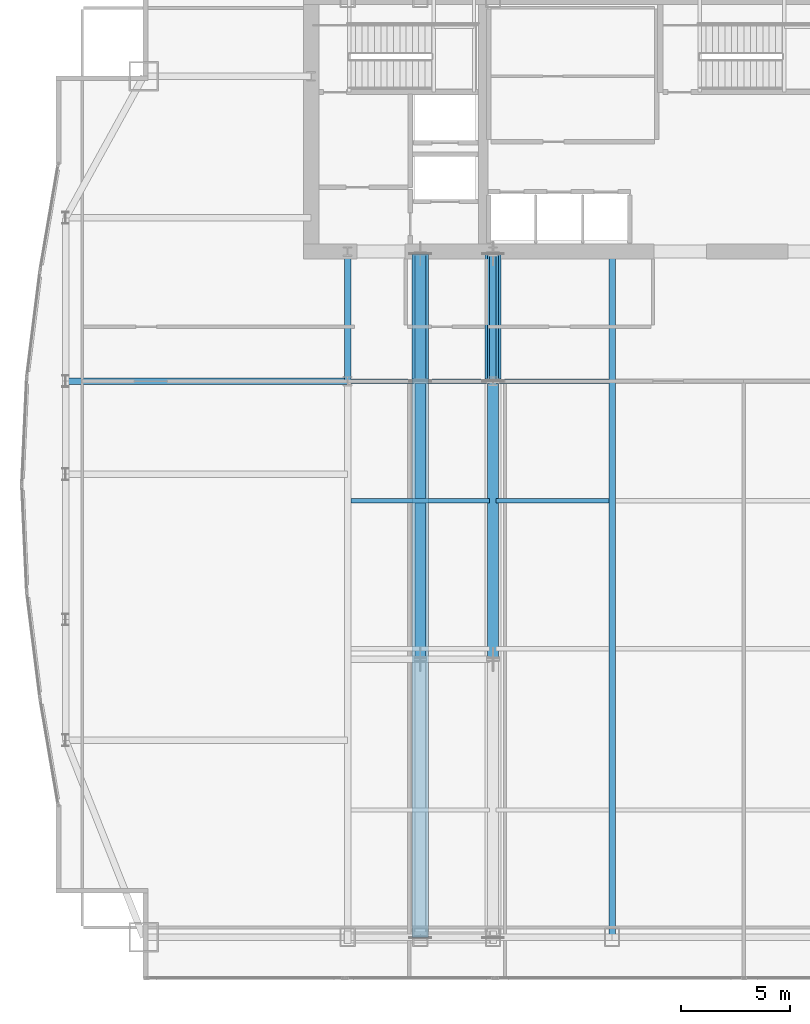
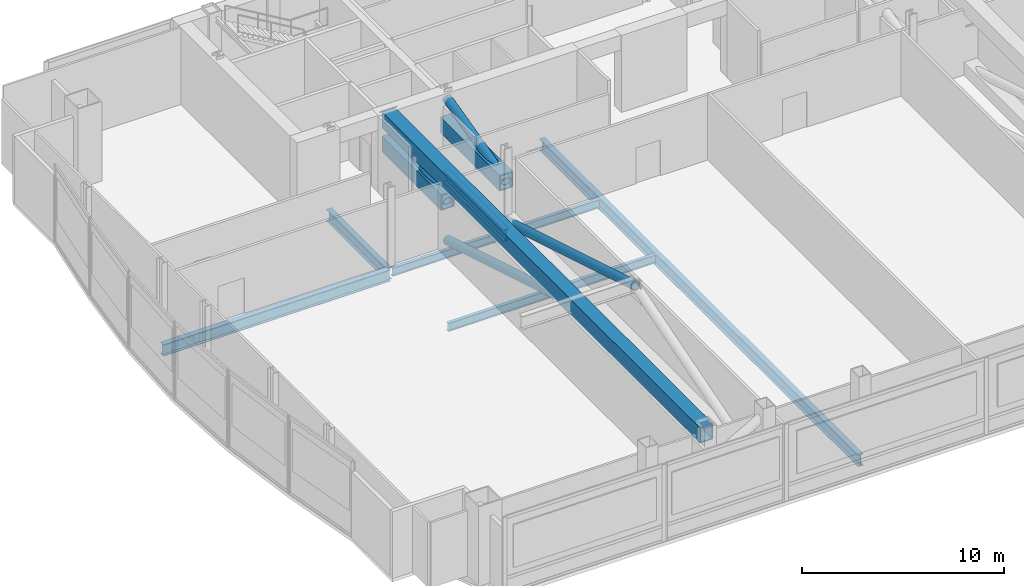
# One storey, part 12 of 30: 8 beams, 7 members.
"""IFC4 building model written with IfcOpenShell, lengths in metres."""

from ifc_helpers import new_model, si_unit, direction, frame, origin, origin_2d, place, context, subcontext, project, spatial, hollow_rectangle, hollow_circle, i_section, extrude, material, material_profile, profile_set, type_object, element, save


model = new_model("IFC4")

# Units and contexts
model_context = context("Model", 3, precision=1e-05, world=origin(), true_north=direction((0.0, 1.0)))
body_context = subcontext(model_context, "Body", "Model", "MODEL_VIEW")
ifc_project = project(units=[si_unit("LENGTHUNIT", "METRE"), si_unit("AREAUNIT", "SQUARE_METRE"), si_unit("VOLUMEUNIT", "CUBIC_METRE"), si_unit("PLANEANGLEUNIT", "RADIAN"), si_unit("MASSUNIT", "GRAM", prefix="KILO")], contexts=[model_context])

# Site, building, storey
site_placement = place(None, origin())
site = spatial("IfcSite", under=ifc_project, at=site_placement, CompositionType="ELEMENT")
building_placement = place(site_placement, origin())
building = spatial("IfcBuilding", under=site, at=building_placement, Name="Khoronbel Lancet Exchange", CompositionType="ELEMENT")
storey_placement = place(building_placement, frame((0.0, 0.0, 172.199951171875)))
storey = spatial("IfcBuildingStorey", under=building, at=storey_placement, Name="L43", CompositionType="ELEMENT", Elevation=172.199951171875)

# Beams
ifc_material_1 = material(Name="Steel S355", Category="steel")
ifc_material_profile_1 = material_profile(ifc_material_1, i_section(OverallWidth=0.300048828125, OverallDepth=0.699951171875, WebThickness=0.01708984375, FlangeThickness=0.031982421875, at=origin_2d()), Name="HEB 700")
ifc_profile_set_1 = profile_set([ifc_material_profile_1], Name="Steel S355")
beam_type_1 = type_object("IfcBeamType", Name="BM-BG3", PredefinedType="BEAM", material=ifc_profile_set_1)
for number, where, z_axis, x_axis, name in (
    (1, (18.22509765625, 35.699951171875, -0.570068359375), (0.0, 1.0, 0.0), (-1.0, 0.0, 0.0), "Level L43 spine tie girder GN1"),
    (2, (24.89990234375, 35.699951171875, -0.570068359375), (0.0, 1.0, 0.0), (-1.0, 0.0, 0.0), "Level L43 spine tie girder GN2"),
):
    element("IfcBeam", number, at=place(storey_placement, frame(where, z_axis=z_axis, x_axis=x_axis)), inside=storey, type_object=beam_type_1, Name=name, PredefinedType="BEAM", context=body_context, shape_type="SweptSolid", body=[
        extrude(i_section(OverallWidth=0.300048828125, OverallDepth=0.699951171875, WebThickness=0.01708984375, FlangeThickness=0.031982421875, at=origin_2d()), origin(), (0.0, 0.0, 1.0), 5.949951171875),
    ])
beam_1_placement = place(storey_placement, frame((30.375, 10.14990234375, -0.570068359375), z_axis=(0.0, 1.0, 0.0), x_axis=(-1.0, 0.0, 0.0)))
element("IfcBeam", 3, at=beam_1_placement, inside=storey, type_object=beam_type_1, Name="Level L43 primary floor girder G3", PredefinedType="BEAM", context=body_context, shape_type="SweptSolid", body=[
    extrude(i_section(OverallWidth=0.300048828125, OverallDepth=0.699951171875, WebThickness=0.01708984375, FlangeThickness=0.031982421875, at=origin_2d()), origin(), (0.0, 0.0, 1.0), 31.5),
])
beam_2_placement = place(storey_placement, frame((5.27001953125, 35.699951171875, -0.570068359375), z_axis=(1.0, 0.0, 0.0), x_axis=(0.0, 1.0, 0.0)))
element("IfcBeam", 4, at=beam_2_placement, inside=storey, type_object=beam_type_1, Name="Level L43 west lens tie girder LG4W", PredefinedType="BEAM", context=body_context, shape_type="SweptSolid", body=[
    extrude(i_section(OverallWidth=0.300048828125, OverallDepth=0.699951171875, WebThickness=0.01708984375, FlangeThickness=0.031982421875, at=origin_2d()), origin(), (0.0, 0.0, 1.0), 12.955078125),
])
ifc_material_profile_2 = material_profile(ifc_material_1, i_section(OverallWidth=0.199951171875, OverallDepth=0.5, WebThickness=0.01025390625, FlangeThickness=0.01611328125, at=origin_2d()), Name="IPE 500")
ifc_profile_set_2 = profile_set([ifc_material_profile_2], Name="Steel S355")
beam_type_2 = type_object("IfcBeamType", Name="BM-BJ3", PredefinedType="JOIST", material=ifc_profile_set_2)
beam_3_placement = place(storey_placement, frame((18.375, 30.199951171875, -0.469970703125), z_axis=(1.0, 0.0, 0.0), x_axis=(0.0, 1.0, 0.0)))
element("IfcBeam", 5, at=beam_3_placement, inside=storey, type_object=beam_type_2, Name="Level L43 secondary composite joist J11", PredefinedType="JOIST", context=body_context, shape_type="SweptSolid", body=[
    extrude(i_section(OverallWidth=0.199951171875, OverallDepth=0.5, WebThickness=0.01025390625, FlangeThickness=0.01611328125, at=origin_2d()), origin(), (0.0, 0.0, 1.0), 6.375),
])
beam_4_placement = place(storey_placement, frame((25.050048828125, 30.199951171875, -0.469970703125), z_axis=(1.0, 0.0, 0.0), x_axis=(0.0, 1.0, 0.0)))
element("IfcBeam", 6, at=beam_4_placement, inside=storey, type_object=beam_type_2, Name="Level L43 secondary composite joist J12", PredefinedType="JOIST", context=body_context, shape_type="SweptSolid", body=[
    extrude(i_section(OverallWidth=0.199951171875, OverallDepth=0.5, WebThickness=0.01025390625, FlangeThickness=0.01611328125, at=origin_2d()), origin(), (0.0, 0.0, 1.0), 5.175048828125),
])
beam_5_placement = place(storey_placement, frame((18.375, 35.699951171875, -0.469970703125), z_axis=(1.0, 0.0, 0.0), x_axis=(0.0, 1.0, 0.0)))
element("IfcBeam", 7, at=beam_5_placement, inside=storey, type_object=beam_type_2, Name="Level L43 secondary composite joist J16", PredefinedType="JOIST", context=body_context, shape_type="SweptSolid", body=[
    extrude(i_section(OverallWidth=0.199951171875, OverallDepth=0.5, WebThickness=0.01025390625, FlangeThickness=0.01611328125, at=origin_2d()), origin(), (0.0, 0.0, 1.0), 6.375),
])
beam_6_placement = place(storey_placement, frame((25.050048828125, 35.699951171875, -0.469970703125), z_axis=(1.0, 0.0, 0.0), x_axis=(0.0, 1.0, 0.0)))
element("IfcBeam", 8, at=beam_6_placement, inside=storey, type_object=beam_type_2, Name="Level L43 secondary composite joist J17", PredefinedType="JOIST", context=body_context, shape_type="SweptSolid", body=[
    extrude(i_section(OverallWidth=0.199951171875, OverallDepth=0.5, WebThickness=0.01025390625, FlangeThickness=0.01611328125, at=origin_2d()), origin(), (0.0, 0.0, 1.0), 5.175048828125),
])

# Members
ifc_material_2 = material(Name="Steel S460", Category="steel")
ifc_material_profile_3 = material_profile(ifc_material_2, hollow_circle(Radius=0.25390625, WallThickness=0.02490234375, at=origin_2d()), Name="CHS 508x25")
ifc_profile_set_3 = profile_set([ifc_material_profile_3], Name="Steel S460")
member_type_1 = type_object("IfcMemberType", Name="MEM-OBR2", PredefinedType="BRACE", material=ifc_profile_set_3)
member_1_placement = place(storey_placement, frame((21.5625, 22.925048828125, 4.14013671875), z_axis=(0.0, 0.957668980071, -0.287871715544), x_axis=(-1.0, 0.0, 0.0)))
element("IfcMember", 9, at=member_1_placement, inside=storey, type_object=member_type_1, Name="Outrigger truss diagonal L43-1-2", PredefinedType="BRACE", context=body_context, shape_type="SweptSolid", body=[
    extrude(hollow_circle(Radius=0.25390625, WallThickness=0.02490234375, at=origin_2d()), origin(), (0.0, 0.0, 1.0), 13.339599609375),
])
member_2_placement = place(storey_placement, frame((21.5625, 35.699951171875, 2.679931640625), z_axis=(0.0, 0.970232940732, 0.2421735756), x_axis=(-1.0, 0.0, 0.0)))
element("IfcMember", 10, at=member_2_placement, inside=storey, type_object=member_type_1, Name="Outrigger truss diagonal L43-1-3", PredefinedType="BRACE", context=body_context, shape_type="SweptSolid", body=[
    extrude(hollow_circle(Radius=0.25390625, WallThickness=0.02490234375, at=origin_2d()), origin(), (0.0, 0.0, 1.0), 6.029541015625),
])
member_3_placement = place(storey_placement, frame((24.89990234375, 22.925048828125, 4.14013671875), z_axis=(0.0, 0.957668980071, -0.287871715544), x_axis=(-1.0, 0.0, 0.0)))
element("IfcMember", 11, at=member_3_placement, inside=storey, type_object=member_type_1, Name="Outrigger truss diagonal L43-2-2", PredefinedType="BRACE", context=body_context, shape_type="SweptSolid", body=[
    extrude(hollow_circle(Radius=0.25390625, WallThickness=0.02490234375, at=origin_2d()), origin(), (0.0, 0.0, 1.0), 13.339599609375),
])
member_4_placement = place(storey_placement, frame((24.89990234375, 35.699951171875, 2.679931640625), z_axis=(0.0, 0.970232940732, 0.2421735756), x_axis=(-1.0, 0.0, 0.0)))
element("IfcMember", 12, at=member_4_placement, inside=storey, type_object=member_type_1, Name="Outrigger truss diagonal L43-2-3", PredefinedType="BRACE", context=body_context, shape_type="SweptSolid", body=[
    extrude(hollow_circle(Radius=0.25390625, WallThickness=0.02490234375, at=origin_2d()), origin(), (0.0, 0.0, 1.0), 6.029541015625),
])
ifc_material_profile_4 = material_profile(ifc_material_2, hollow_rectangle(XDim=0.75, YDim=0.949951171875, WallThickness=0.054931640625, at=origin_2d()), Name="BOX 950x750x55")
ifc_profile_set_4 = profile_set([ifc_material_profile_4], Name="Steel S460")
member_type_2 = type_object("IfcMemberType", Name="MEM-OCH2", PredefinedType="CHORD", material=ifc_profile_set_4)
member_5_placement = place(storey_placement, frame((21.5625, 35.699951171875, 2.679931640625), z_axis=(0.0, 1.0, 0.0), x_axis=(-1.0, 0.0, 0.0)))
element("IfcMember", 13, at=member_5_placement, inside=storey, type_object=member_type_2, Name="Outrigger corridor portal tie chord L43-1-COR", PredefinedType="CHORD", context=body_context, shape_type="SweptSolid", body=[
    extrude(hollow_rectangle(XDim=0.75, YDim=0.949951171875, WallThickness=0.054931640625, at=origin_2d()), origin(), (0.0, 0.0, 1.0), 5.85009765625),
])
member_6_placement = place(storey_placement, frame((21.5625, 10.14990234375, 4.14013671875), z_axis=(0.0, 1.0, 0.0), x_axis=(-1.0, 0.0, 0.0)))
element("IfcMember", 14, at=member_6_placement, inside=storey, type_object=member_type_2, Name="Outrigger truss top chord L43-1-TOP", PredefinedType="CHORD", context=body_context, shape_type="SweptSolid", body=[
    extrude(hollow_rectangle(XDim=0.75, YDim=0.949951171875, WallThickness=0.054931640625, at=origin_2d()), origin(), (0.0, 0.0, 1.0), 31.400146484375),
])
member_7_placement = place(storey_placement, frame((24.89990234375, 35.699951171875, 2.679931640625), z_axis=(0.0, 1.0, 0.0), x_axis=(-1.0, 0.0, 0.0)))
element("IfcMember", 15, at=member_7_placement, inside=storey, type_object=member_type_2, Name="Outrigger corridor portal tie chord L43-2-COR", PredefinedType="CHORD", context=body_context, shape_type="SweptSolid", body=[
    extrude(hollow_rectangle(XDim=0.75, YDim=0.949951171875, WallThickness=0.054931640625, at=origin_2d()), origin(), (0.0, 0.0, 1.0), 5.85009765625),
])

save(model, "model.ifc")
